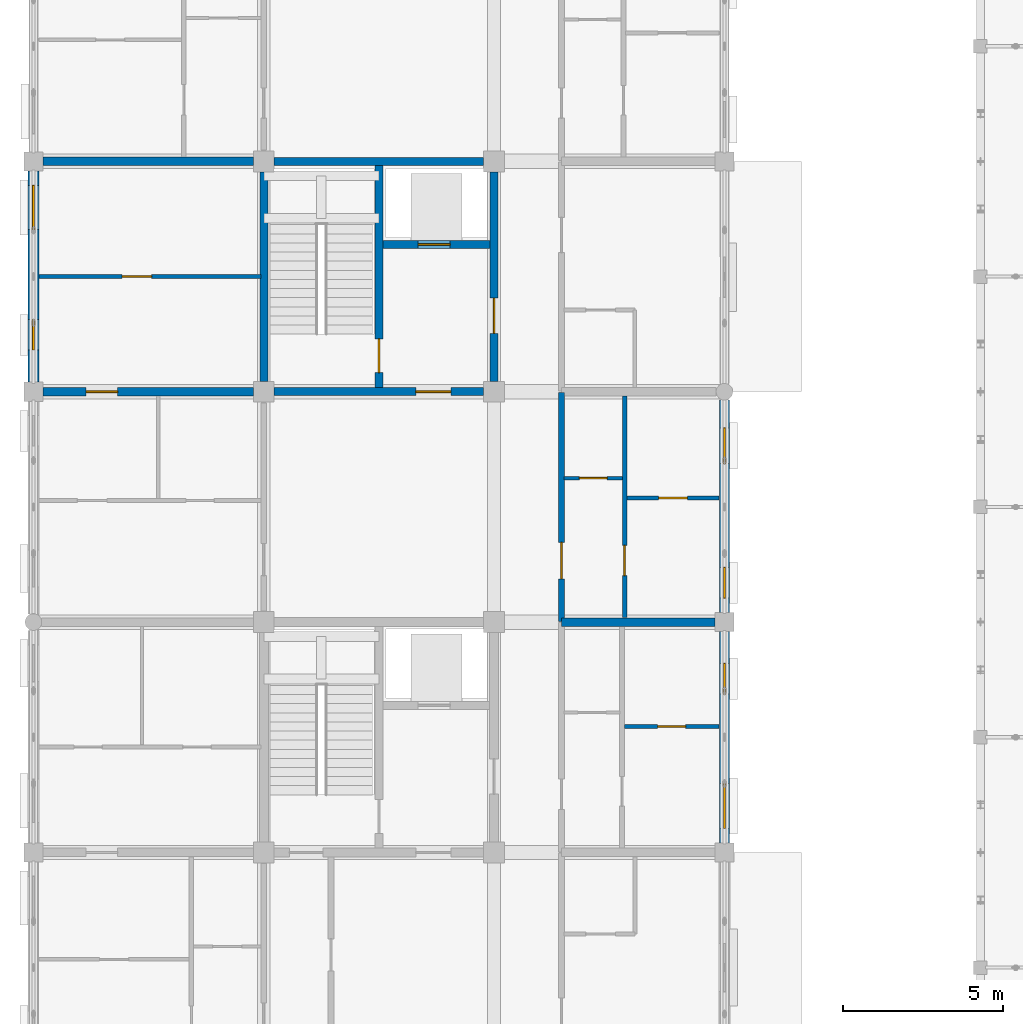
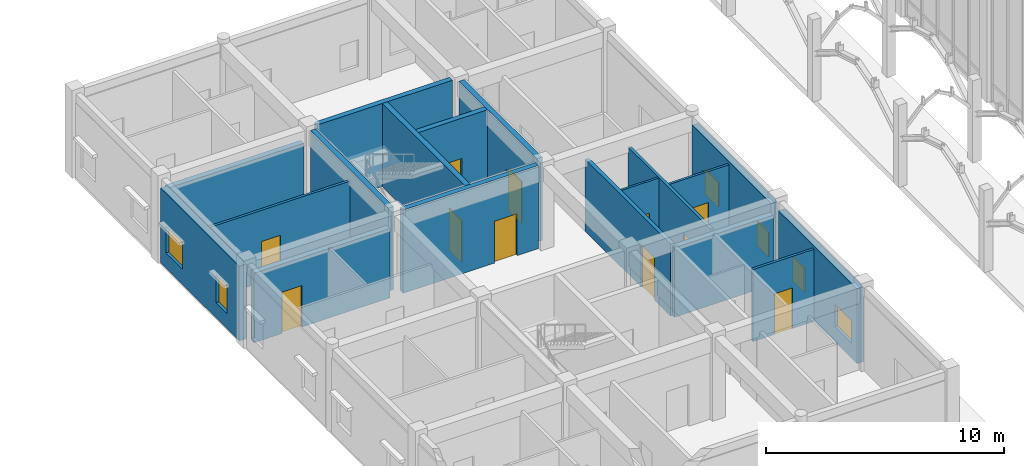
# One storey, part 106 of 138: 18 walls, 11 doors, 6 windows, 17 openings.
"""IFC4 building model written with IfcOpenShell, lengths in metres."""

from ifc_helpers import new_model, si_unit, direction, frame, frame_2d, origin, place, context, subcontext, project, spatial, rectangle, extrude, material, layer, layer_set, type_object, element, fill, save


model = new_model("IFC4")

# Units and contexts
model_context = context("Model", 3, precision=1e-05, world=origin(), true_north=direction((0.0, 1.0)))
body_context = subcontext(model_context, "Body", "Model", "MODEL_VIEW")
ifc_project = project(units=[si_unit("LENGTHUNIT", "METRE"), si_unit("AREAUNIT", "SQUARE_METRE"), si_unit("VOLUMEUNIT", "CUBIC_METRE"), si_unit("PLANEANGLEUNIT", "RADIAN"), si_unit("MASSUNIT", "GRAM", prefix="KILO"), si_unit("THERMODYNAMICTEMPERATUREUNIT", "KELVIN"), si_unit("POWERUNIT", "WATT")], contexts=[model_context])

# Site, building, storey
site_placement = place(None, origin())
site = spatial("IfcSite", under=ifc_project, at=site_placement, CompositionType="ELEMENT")
building_placement = place(site_placement, origin())
building = spatial("IfcBuilding", under=site, at=building_placement, Name="Tavuni Mirador Residences", CompositionType="ELEMENT")
storey_placement = place(building_placement, origin())
storey = spatial("IfcBuildingStorey", under=building, at=storey_placement, Name="L00", CompositionType="ELEMENT", Elevation=0.0)

# Walls
ifc_material_1 = material(Name="Precast concrete C40/50", Category="concrete")
ifc_layer_1 = layer(ifc_material_1, 0.25, Name="Precast concrete C40/50", Category="concrete")
ifc_layer_set_1 = layer_set([ifc_layer_1], Name="Precast concrete C40/50")
wall_type_1 = type_object("IfcWallType", Name="WT-COR250", PredefinedType="SHEAR", material=ifc_layer_set_1)
wall_1_placement = place(storey_placement, frame((10.800048828125, 86.72509765625, 0.0), z_axis=(0.0, 0.0, 1.0), x_axis=(0.0, 1.0, 0.0)))
element("IfcWall", 1, at=wall_1_placement, inside=storey, type_object=wall_type_1, Name="CWALL-C4-L00-W", PredefinedType="SHEAR", context=body_context, shape_type="SweptSolid", body=[
    extrude(rectangle(XDim=6.5498046875, YDim=0.25, at=frame_2d((3.27490234375, 0.0))), origin(), (0.0, 0.0, 1.0), 4.260009765625),
])
wall_2_placement = place(storey_placement, frame((11.125, 93.60009765625, 0.0), z_axis=(0.0, 0.0, 1.0), x_axis=(1.0, 0.0, 0.0)))
element("IfcWall", 2, at=wall_2_placement, inside=storey, type_object=wall_type_1, Name="CWALL-C4-L00-N", PredefinedType="SHEAR", context=body_context, shape_type="SweptSolid", body=[
    extrude(rectangle(XDim=6.550048828125, YDim=0.25, at=frame_2d((3.27490234375, 0.0))), origin(), (0.0, 0.0, 1.0), 4.260009765625),
])

# Wall, opening, door
wall_3_placement = place(storey_placement, frame((18.0, 86.72509765625, 0.0), z_axis=(0.0, 0.0, 1.0), x_axis=(0.0, 1.0, 0.0)))
wall_3 = element("IfcWall", 3, at=wall_3_placement, inside=storey, type_object=wall_type_1, Name="CWALL-C4-L00-E", PredefinedType="SHEAR", context=body_context, shape_type="SweptSolid", body=[
    extrude(rectangle(XDim=6.5498046875, YDim=0.25, at=frame_2d((3.27490234375, 0.0))), origin(), (0.0, 0.0, 1.0), 4.260009765625),
])
opening_1_placement = place(wall_3_placement, frame((1.5, 0.0, 0.0)))
opening_1 = element("IfcOpeningElement", 4, at=opening_1_placement, cuts=wall_3, Name="Opening D-02", PredefinedType="OPENING", context=body_context, shape_type="SweptSolid", body=[
    extrude(rectangle(XDim=1.10009765625, YDim=2.14990234375, at=frame_2d((0.550048828125, 1.074951171875))), frame((0.0, 0.135009765625, 0.0), z_axis=(0.0, -1.0, 0.0), x_axis=(1.0, 0.0, 0.0)), (0.0, 0.0, 1.0), 0.27001953125),
])
ifc_material_2 = material(Name="Solid core iroko timber", Category="wood")
door_type_1 = type_object("IfcDoorType", Name="DT-LOB1100", OperationType="NOTDEFINED", PredefinedType="DOOR", material=ifc_material_2)
door_1_placement = place(opening_1_placement, frame((1.10009765625, 0.0, 0.0), z_axis=(0.0, 0.0, 1.0), x_axis=(-1.0, 0.0, 0.0)))
door_1 = element("IfcDoor", 5, at=door_1_placement, inside=storey, type_object=door_type_1, Name="DR-2143", OperationType="SINGLE_SWING_RIGHT", OverallHeight=2.14990234375, OverallWidth=1.10009765625, PredefinedType="DOOR", context=body_context, shape_type="SweptSolid", body=[
    extrude(rectangle(XDim=1.10009765625, YDim=2.14990234375, at=frame_2d((0.550048828125, 1.074951171875))), frame((0.0, 0.02490234375, 0.0), z_axis=(0.0, -1.0, 0.0), x_axis=(1.0, 0.0, 0.0)), (0.0, 0.0, 1.0), 0.050048828125),
])
fill(opening_1, door_1)

wall_4_placement = place(storey_placement, frame((11.125, 86.39990234375, 0.0), z_axis=(0.0, 0.0, 1.0), x_axis=(1.0, 0.0, 0.0)))
wall_4 = element("IfcWall", 6, at=wall_4_placement, inside=storey, type_object=wall_type_1, Name="CWALL-C4-L00-SS", PredefinedType="SHEAR", context=body_context, shape_type="SweptSolid", body=[
    extrude(rectangle(XDim=6.550048828125, YDim=0.25, at=frame_2d((3.27490234375, 0.0))), origin(), (0.0, 0.0, 1.0), 4.260009765625),
])
opening_2_placement = place(wall_4_placement, frame((4.425048828125, 0.0, 0.0)))
opening_2 = element("IfcOpeningElement", 7, at=opening_2_placement, cuts=wall_4, Name="Opening D-02", PredefinedType="OPENING", context=body_context, shape_type="SweptSolid", body=[
    extrude(rectangle(XDim=1.10009765625, YDim=2.14990234375, at=frame_2d((0.550048828125, 1.074951171875))), frame((0.0, 0.135009765625, 0.0), z_axis=(0.0, -1.0, 0.0), x_axis=(1.0, 0.0, 0.0)), (0.0, 0.0, 1.0), 0.27001953125),
])
door_2_placement = place(opening_2_placement, frame((1.10009765625, 0.0, 0.0), z_axis=(0.0, 0.0, 1.0), x_axis=(-1.0, 0.0, 0.0)))
door_2 = element("IfcDoor", 8, at=door_2_placement, inside=storey, type_object=door_type_1, Name="DR-2144", OperationType="SINGLE_SWING_RIGHT", OverallHeight=2.14990234375, OverallWidth=1.10009765625, PredefinedType="DOOR", context=body_context, shape_type="SweptSolid", body=[
    extrude(rectangle(XDim=1.10009765625, YDim=2.14990234375, at=frame_2d((0.550048828125, 1.074951171875))), frame((0.0, 0.02490234375, 0.0), z_axis=(0.0, -1.0, 0.0), x_axis=(1.0, 0.0, 0.0)), (0.0, 0.0, 1.0), 0.050048828125),
])
fill(opening_2, door_2)

wall_5_placement = place(storey_placement, frame((14.39990234375, 86.52490234375, 0.0), z_axis=(0.0, 0.0, 1.0), x_axis=(0.0, 1.0, 0.0)))
wall_5 = element("IfcWall", 9, at=wall_5_placement, inside=storey, type_object=wall_type_1, Name="CWALL-C4-L00-MID", PredefinedType="SHEAR", context=body_context, shape_type="SweptSolid", body=[
    extrude(rectangle(XDim=6.9501953125, YDim=0.25, at=frame_2d((3.47509765625, 0.0))), origin(), (0.0, 0.0, 1.0), 4.260009765625),
])
opening_3_placement = place(wall_5_placement, frame((0.47509765625, 0.0, 0.0)))
opening_3 = element("IfcOpeningElement", 10, at=opening_3_placement, cuts=wall_5, Name="Opening D-01", PredefinedType="OPENING", context=body_context, shape_type="SweptSolid", body=[
    extrude(rectangle(XDim=1.050048828125, YDim=2.14990234375, at=frame_2d((0.52490234375, 1.074951171875))), frame((0.0, 0.135009765625, 0.0), z_axis=(0.0, -1.0, 0.0), x_axis=(1.0, 0.0, 0.0)), (0.0, 0.0, 1.0), 0.27001953125),
])
door_type_2 = type_object("IfcDoorType", Name="DT-ST1050", OperationType="NOTDEFINED", PredefinedType="DOOR", material=ifc_material_2)
door_3_placement = place(opening_3_placement, frame((1.050048828125, 0.0, 0.0), z_axis=(0.0, 0.0, 1.0), x_axis=(-1.0, 0.0, 0.0)))
door_3 = element("IfcDoor", 11, at=door_3_placement, inside=storey, type_object=door_type_2, Name="DR-2145", OperationType="SINGLE_SWING_LEFT", OverallHeight=2.14990234375, OverallWidth=1.050048828125, PredefinedType="DOOR", context=body_context, shape_type="SweptSolid", body=[
    extrude(rectangle(XDim=1.050048828125, YDim=2.14990234375, at=frame_2d((0.52490234375, 1.074951171875))), frame((0.0, 0.02490234375, 0.0), z_axis=(0.0, -1.0, 0.0), x_axis=(1.0, 0.0, 0.0)), (0.0, 0.0, 1.0), 0.050048828125),
])
fill(opening_3, door_3)

wall_6_placement = place(storey_placement, frame((14.52490234375, 91.0, 0.0), z_axis=(0.0, 0.0, 1.0), x_axis=(1.0, 0.0, 0.0)))
wall_6 = element("IfcWall", 12, at=wall_6_placement, inside=storey, type_object=wall_type_1, Name="CWALL-C4-L00-SHF", PredefinedType="SHEAR", context=body_context, shape_type="SweptSolid", body=[
    extrude(rectangle(XDim=3.35009765625, YDim=0.25, at=frame_2d((1.675048828125, 0.0))), origin(), (0.0, 0.0, 1.0), 4.260009765625),
])
opening_4_placement = place(wall_6_placement, frame((1.10009765625, 0.0, 0.0)))
opening_4 = element("IfcOpeningElement", 13, at=opening_4_placement, cuts=wall_6, Name="Opening LD-02", PredefinedType="OPENING", context=body_context, shape_type="SweptSolid", body=[
    extrude(rectangle(XDim=1.0, YDim=2.199951171875, at=frame_2d((0.5, 1.10009765625))), frame((0.0, 0.135009765625, 0.0), z_axis=(0.0, -1.0, 0.0), x_axis=(1.0, 0.0, 0.0)), (0.0, 0.0, 1.0), 0.27001953125),
])
ifc_material_3 = material(Name="Structural steel S355", Category="steel")
door_type_3 = type_object("IfcDoorType", Name="DT-LD-PAX", OperationType="SLIDING_TO_LEFT", PredefinedType="DOOR", material=ifc_material_3)
door_4_placement = place(opening_4_placement, origin())
door_4 = element("IfcDoor", 14, at=door_4_placement, inside=storey, type_object=door_type_3, Name="Lift landing door PL-B2 L00", OperationType="SLIDING_TO_LEFT", OverallHeight=2.199951171875, OverallWidth=1.0, PredefinedType="DOOR", context=body_context, shape_type="SweptSolid", body=[
    extrude(rectangle(XDim=1.0, YDim=2.199951171875, at=frame_2d((0.5, 1.10009765625))), frame((0.0, 0.02490234375, 0.0), z_axis=(0.0, -1.0, 0.0), x_axis=(1.0, 0.0, 0.0)), (0.0, 0.0, 1.0), 0.050048828125),
])
fill(opening_4, door_4)

ifc_layer_2 = layer(ifc_material_1, 0.18505859375, Name="Precast concrete C40/50", Category="concrete")
ifc_layer_set_2 = layer_set([ifc_layer_2], Name="Precast concrete C40/50")
wall_type_2 = type_object("IfcWallType", Name="WT-CORR185", PredefinedType="PARTITIONING", material=ifc_layer_set_2)
wall_7_placement = place(storey_placement, frame((20.10009765625, 79.219970703125, 0.0), z_axis=(0.0, 0.0, 1.0), x_axis=(0.0, 1.0, 0.0)))
wall_7 = element("IfcWall", 15, at=wall_7_placement, inside=storey, type_object=wall_type_2, Name="CORW-BLK-B-L00-0-02", PredefinedType="PARTITIONING", context=body_context, shape_type="SweptSolid", body=[
    extrude(rectangle(XDim=7.159912109375, YDim=0.18505859375, at=frame_2d((3.580078125, 0.0))), origin(), (0.0, 0.0, 1.0), 3.695068359375),
])
opening_5_placement = place(wall_7_placement, frame((1.330078125, 0.0, 0.0)))
opening_5 = element("IfcOpeningElement", 16, at=opening_5_placement, cuts=wall_7, Name="Opening D-20", PredefinedType="OPENING", context=body_context, shape_type="SweptSolid", body=[
    extrude(rectangle(XDim=1.139892578125, YDim=2.179931640625, at=frame_2d((0.56982421875, 1.08984375))), frame((0.0, 0.1025390625, 0.0), z_axis=(0.0, -1.0, 0.0), x_axis=(1.0, 0.0, 0.0)), (0.0, 0.0, 1.0), 0.205078125),
])
door_type_4 = type_object("IfcDoorType", Name="DT-FD60-1140", OperationType="NOTDEFINED", PredefinedType="DOOR", material=ifc_material_2)
door_5_placement = place(opening_5_placement, origin())
door_5 = element("IfcDoor", 17, at=door_5_placement, inside=storey, type_object=door_type_4, Name="DR-2531", OperationType="SINGLE_SWING_RIGHT", OverallHeight=2.179931640625, OverallWidth=1.139892578125, PredefinedType="DOOR", context=body_context, shape_type="SweptSolid", body=[
    extrude(rectangle(XDim=1.139892578125, YDim=2.179931640625, at=frame_2d((0.56982421875, 1.08984375))), frame((0.0, 0.02490234375, 0.0), z_axis=(0.0, -1.0, 0.0), x_axis=(1.0, 0.0, 0.0)), (0.0, 0.0, 1.0), 0.050048828125),
])
fill(opening_5, door_5)

# Wall, openings, windows
ifc_material_4 = material(Name="Sgraffito lime-rendered precast concrete C40/50", Category="concrete")
ifc_layer_3 = layer(ifc_material_4, 0.304931640625, Name="Sgraffito lime-rendered precast concrete C40/50", Category="concrete")
ifc_layer_set_3 = layer_set([ifc_layer_3], Name="Sgraffito lime-rendered precast concrete C40/50")
wall_type_3 = type_object("IfcWallType", Name="WT-EXT-PC305", PredefinedType="SOLIDWALL", material=ifc_layer_set_3)
wall_8_placement = place(storey_placement, frame((25.199951171875, 79.5, 0.0), z_axis=(0.0, 0.0, 1.0), x_axis=(0.0, 1.0, 0.0)))
wall_8 = element("IfcWall", 18, at=wall_8_placement, inside=storey, type_object=wall_type_3, Name="EW-BLK-B-L00-E02", PredefinedType="SOLIDWALL", context=body_context, shape_type="SweptSolid", body=[
    extrude(rectangle(XDim=6.639892578125, YDim=0.304931640625, at=frame_2d((3.31982421875, 0.0))), origin(), (0.0, 0.0, 1.0), 3.830078125),
])
opening_6_placement = place(wall_8_placement, frame((0.449951171875, 0.0, 0.780029296875)))
opening_6 = element("IfcOpeningElement", 19, at=opening_6_placement, cuts=wall_8, Name="Opening WN-10", PredefinedType="OPENING", context=body_context, shape_type="SweptSolid", body=[
    extrude(rectangle(XDim=0.9599609375, YDim=1.260009765625, at=frame_2d((0.47998046875, 0.6298828125))), frame((0.0, 0.16259765625, 0.0), z_axis=(0.0, -1.0, 0.0), x_axis=(1.0, 0.0, 0.0)), (0.0, 0.0, 1.0), 0.324951171875),
])
opening_7_placement = place(wall_8_placement, frame((4.64990234375, 0.0, 0.780029296875)))
opening_7 = element("IfcOpeningElement", 20, at=opening_7_placement, cuts=wall_8, Name="Opening WN-12", PredefinedType="OPENING", context=body_context, shape_type="SweptSolid", body=[
    extrude(rectangle(XDim=1.1201171875, YDim=1.260009765625, at=frame_2d((0.56005859375, 0.6298828125))), frame((0.0, 0.16259765625, 0.0), z_axis=(0.0, -1.0, 0.0), x_axis=(1.0, 0.0, 0.0)), (0.0, 0.0, 1.0), 0.324951171875),
])
ifc_material_5 = material(Name="Laminated solar-control glass", Category="glass")
window_type_1 = type_object("IfcWindowType", Name="WNT-10", PartitioningType="SINGLE_PANEL", PredefinedType="WINDOW", material=ifc_material_5)
window_1_placement = place(opening_6_placement, origin())
window_1 = element("IfcWindow", 21, at=window_1_placement, inside=storey, type_object=window_type_1, Name="WIN-0549", OverallHeight=1.260009765625, OverallWidth=0.9599609375, PartitioningType="SINGLE_PANEL", PredefinedType="WINDOW", context=body_context, shape_type="SweptSolid", body=[
    extrude(rectangle(XDim=0.9599609375, YDim=1.260009765625, at=frame_2d((0.47998046875, 0.6298828125))), frame((0.0, 0.030029296875, 0.0), z_axis=(0.0, -1.0, 0.0), x_axis=(1.0, 0.0, 0.0)), (0.0, 0.0, 1.0), 0.06005859375),
])
fill(opening_6, window_1)
window_type_2 = type_object("IfcWindowType", Name="WNT-12", PartitioningType="SINGLE_PANEL", PredefinedType="WINDOW", material=ifc_material_5)
window_2_placement = place(opening_7_placement, origin())
window_2 = element("IfcWindow", 22, at=window_2_placement, inside=storey, type_object=window_type_2, Name="WIN-0550", OverallHeight=1.260009765625, OverallWidth=1.1201171875, PartitioningType="SINGLE_PANEL", PredefinedType="WINDOW", context=body_context, shape_type="SweptSolid", body=[
    extrude(rectangle(XDim=1.1201171875, YDim=1.260009765625, at=frame_2d((0.56005859375, 0.6298828125))), frame((0.0, 0.030029296875, 0.0), z_axis=(0.0, -1.0, 0.0), x_axis=(1.0, 0.0, 0.0)), (0.0, 0.0, 1.0), 0.06005859375),
])
fill(opening_7, window_2)

ifc_layer_4 = layer(ifc_material_4, 0.31494140625, Name="Sgraffito lime-rendered precast concrete C40/50", Category="concrete")
ifc_layer_set_4 = layer_set([ifc_layer_4], Name="Sgraffito lime-rendered precast concrete C40/50")
wall_type_4 = type_object("IfcWallType", Name="WT-EXT-PC315", PredefinedType="SOLIDWALL", material=ifc_layer_set_4)
wall_9_placement = place(storey_placement, frame((25.199951171875, 72.300048828125, 0.0), z_axis=(0.0, 0.0, 1.0), x_axis=(0.0, 1.0, 0.0)))
wall_9 = element("IfcWall", 23, at=wall_9_placement, inside=storey, type_object=wall_type_4, Name="EW-BLK-B-L00-E01", PredefinedType="SOLIDWALL", context=body_context, shape_type="SweptSolid", body=[
    extrude(rectangle(XDim=6.599853515625, YDim=0.31494140625, at=frame_2d((3.2998046875, 0.0))), origin(), (0.0, 0.0, 1.0), 3.830078125),
])
opening_8_placement = place(wall_9_placement, frame((0.449951171875, 0.0, 0.780029296875)))
opening_8 = element("IfcOpeningElement", 24, at=opening_8_placement, cuts=wall_9, Name="Opening WN-08", PredefinedType="OPENING", context=body_context, shape_type="SweptSolid", body=[
    extrude(rectangle(XDim=1.39990234375, YDim=1.14990234375, at=frame_2d((0.699951171875, 0.574951171875))), frame((0.0, 0.16748046875, 0.0), z_axis=(0.0, -1.0, 0.0), x_axis=(1.0, 0.0, 0.0)), (0.0, 0.0, 1.0), 0.3349609375),
])
opening_9_placement = place(wall_9_placement, frame((4.64990234375, 0.0, 0.780029296875)))
opening_9 = element("IfcOpeningElement", 25, at=opening_9_placement, cuts=wall_9, Name="Opening WN-10", PredefinedType="OPENING", context=body_context, shape_type="SweptSolid", body=[
    extrude(rectangle(XDim=0.9599609375, YDim=1.260009765625, at=frame_2d((0.47998046875, 0.6298828125))), frame((0.0, 0.16748046875, 0.0), z_axis=(0.0, -1.0, 0.0), x_axis=(1.0, 0.0, 0.0)), (0.0, 0.0, 1.0), 0.3349609375),
])
window_type_3 = type_object("IfcWindowType", Name="WNT-08", PartitioningType="SINGLE_PANEL", PredefinedType="WINDOW", material=ifc_material_5)
window_3_placement = place(opening_8_placement, origin())
window_3 = element("IfcWindow", 26, at=window_3_placement, inside=storey, type_object=window_type_3, Name="WIN-0547", OverallHeight=1.14990234375, OverallWidth=1.39990234375, PartitioningType="SINGLE_PANEL", PredefinedType="WINDOW", context=body_context, shape_type="SweptSolid", body=[
    extrude(rectangle(XDim=1.39990234375, YDim=1.14990234375, at=frame_2d((0.699951171875, 0.574951171875))), frame((0.0, 0.030029296875, 0.0), z_axis=(0.0, -1.0, 0.0), x_axis=(1.0, 0.0, 0.0)), (0.0, 0.0, 1.0), 0.06005859375),
])
fill(opening_8, window_3)
window_4_placement = place(opening_9_placement, origin())
window_4 = element("IfcWindow", 27, at=window_4_placement, inside=storey, type_object=window_type_1, Name="WIN-0548", OverallHeight=1.260009765625, OverallWidth=0.9599609375, PartitioningType="SINGLE_PANEL", PredefinedType="WINDOW", context=body_context, shape_type="SweptSolid", body=[
    extrude(rectangle(XDim=0.9599609375, YDim=1.260009765625, at=frame_2d((0.47998046875, 0.6298828125))), frame((0.0, 0.030029296875, 0.0), z_axis=(0.0, -1.0, 0.0), x_axis=(1.0, 0.0, 0.0)), (0.0, 0.0, 1.0), 0.06005859375),
])
fill(opening_9, window_4)

ifc_layer_5 = layer(ifc_material_4, 0.344970703125, Name="Sgraffito lime-rendered precast concrete C40/50", Category="concrete")
ifc_layer_set_5 = layer_set([ifc_layer_5], Name="Sgraffito lime-rendered precast concrete C40/50")
wall_type_5 = type_object("IfcWallType", Name="WT-EXT-PTY345", PredefinedType="SOLIDWALL", material=ifc_layer_set_5)
wall_10_placement = place(storey_placement, frame((3.60009765625, 93.300048828125, 0.0), z_axis=(0.0, 0.0, 1.0), x_axis=(0.0, -1.0, 0.0)))
wall_10 = element("IfcWall", 28, at=wall_10_placement, inside=storey, type_object=wall_type_5, Name="EW-BLK-B-L00-W03", PredefinedType="SOLIDWALL", context=body_context, shape_type="SweptSolid", body=[
    extrude(rectangle(XDim=6.60009765625, YDim=0.344970703125, at=frame_2d((3.300048828125, 0.0))), origin(), (0.0, 0.0, 1.0), 3.830078125),
])
opening_10_placement = place(wall_10_placement, frame((0.449951171875, 0.0, 0.780029296875)))
opening_10 = element("IfcOpeningElement", 29, at=opening_10_placement, cuts=wall_10, Name="Opening WN-23", PredefinedType="OPENING", context=body_context, shape_type="SweptSolid", body=[
    extrude(rectangle(XDim=1.3798828125, YDim=1.360107421875, at=frame_2d((0.68994140625, 0.68017578125))), frame((0.0, 0.1826171875, 0.0), z_axis=(0.0, -1.0, 0.0), x_axis=(1.0, 0.0, 0.0)), (0.0, 0.0, 1.0), 0.364990234375),
])
opening_11_placement = place(wall_10_placement, frame((4.64990234375, 0.0, 0.780029296875)))
opening_11 = element("IfcOpeningElement", 30, at=opening_11_placement, cuts=wall_10, Name="Opening WN-25", PredefinedType="OPENING", context=body_context, shape_type="SweptSolid", body=[
    extrude(rectangle(XDim=0.93994140625, YDim=1.43994140625, at=frame_2d((0.469970703125, 0.719970703125))), frame((0.0, 0.1826171875, 0.0), z_axis=(0.0, -1.0, 0.0), x_axis=(1.0, 0.0, 0.0)), (0.0, 0.0, 1.0), 0.364990234375),
])
window_type_4 = type_object("IfcWindowType", Name="WNT-23", PartitioningType="SINGLE_PANEL", PredefinedType="WINDOW", material=ifc_material_5)
window_5_placement = place(opening_10_placement, origin())
window_5 = element("IfcWindow", 31, at=window_5_placement, inside=storey, type_object=window_type_4, Name="WIN-0562", OverallHeight=1.360107421875, OverallWidth=1.3798828125, PartitioningType="SINGLE_PANEL", PredefinedType="WINDOW", context=body_context, shape_type="SweptSolid", body=[
    extrude(rectangle(XDim=1.3798828125, YDim=1.360107421875, at=frame_2d((0.68994140625, 0.68017578125))), frame((0.0, 0.030029296875, 0.0), z_axis=(0.0, -1.0, 0.0), x_axis=(1.0, 0.0, 0.0)), (0.0, 0.0, 1.0), 0.06005859375),
])
fill(opening_10, window_5)
window_type_5 = type_object("IfcWindowType", Name="WNT-25", PartitioningType="SINGLE_PANEL", PredefinedType="WINDOW", material=ifc_material_5)
window_6_placement = place(opening_11_placement, origin())
window_6 = element("IfcWindow", 32, at=window_6_placement, inside=storey, type_object=window_type_5, Name="WIN-0563", OverallHeight=1.43994140625, OverallWidth=0.93994140625, PartitioningType="SINGLE_PANEL", PredefinedType="WINDOW", context=body_context, shape_type="SweptSolid", body=[
    extrude(rectangle(XDim=0.93994140625, YDim=1.43994140625, at=frame_2d((0.469970703125, 0.719970703125))), frame((0.0, 0.030029296875, 0.0), z_axis=(0.0, -1.0, 0.0), x_axis=(1.0, 0.0, 0.0)), (0.0, 0.0, 1.0), 0.06005859375),
])
fill(opening_11, window_6)

# Wall, opening, door
ifc_material_6 = material(Name="Acoustic gypsum and concrete block partition", Category="concrete")
ifc_layer_6 = layer(ifc_material_6, 0.10498046875, Name="Acoustic gypsum and concrete block partition", Category="concrete")
ifc_layer_set_6 = layer_set([ifc_layer_6], Name="Acoustic gypsum and concrete block partition")
wall_type_6 = type_object("IfcWallType", Name="WT-PART105", PredefinedType="PARTITIONING", material=ifc_layer_set_6)
wall_11_placement = place(storey_placement, frame((20.18994140625, 83.699951171875, 0.0), z_axis=(0.0, 0.0, 1.0), x_axis=(1.0, 0.0, 0.0)))
wall_11 = element("IfcWall", 33, at=wall_11_placement, inside=storey, type_object=wall_type_6, Name="PW-BLK-B-L00-E02-IN1", PredefinedType="PARTITIONING", context=body_context, shape_type="SweptSolid", body=[
    extrude(rectangle(XDim=1.820068359375, YDim=0.10498046875, at=frame_2d((0.91015625, 0.0))), origin(), (0.0, 0.0, 1.0), 3.695068359375),
])
opening_12_placement = place(wall_11_placement, frame((0.47509765625, 0.0, 0.0)))
opening_12 = element("IfcOpeningElement", 34, at=opening_12_placement, cuts=wall_11, Name="Opening D-10", PredefinedType="OPENING", context=body_context, shape_type="SweptSolid", body=[
    extrude(rectangle(XDim=0.8701171875, YDim=2.050048828125, at=frame_2d((0.43505859375, 1.02490234375))), frame((0.0, 0.0625, 0.0), z_axis=(0.0, -1.0, 0.0), x_axis=(1.0, 0.0, 0.0)), (0.0, 0.0, 1.0), 0.125),
])
door_type_5 = type_object("IfcDoorType", Name="DT-WC870", OperationType="NOTDEFINED", PredefinedType="DOOR", material=ifc_material_2)
door_6_placement = place(opening_12_placement, origin())
door_6 = element("IfcDoor", 35, at=door_6_placement, inside=storey, type_object=door_type_5, Name="DR-3436", OperationType="SINGLE_SWING_RIGHT", OverallHeight=2.050048828125, OverallWidth=0.8701171875, PredefinedType="DOOR", context=body_context, shape_type="SweptSolid", body=[
    extrude(rectangle(XDim=0.8701171875, YDim=2.050048828125, at=frame_2d((0.43505859375, 1.02490234375))), frame((0.0, 0.02490234375, 0.0), z_axis=(0.0, -1.0, 0.0), x_axis=(1.0, 0.0, 0.0)), (0.0, 0.0, 1.0), 0.050048828125),
])
fill(opening_12, door_6)

ifc_layer_7 = layer(ifc_material_6, 0.114990234375, Name="Acoustic gypsum and concrete block partition", Category="concrete")
ifc_layer_set_7 = layer_set([ifc_layer_7], Name="Acoustic gypsum and concrete block partition")
wall_type_7 = type_object("IfcWallType", Name="WT-PART115", PredefinedType="PARTITIONING", material=ifc_layer_set_7)
wall_12_placement = place(storey_placement, frame((22.14990234375, 83.080078125, 0.0), z_axis=(0.0, 0.0, 1.0), x_axis=(1.0, 0.0, 0.0)))
wall_12 = element("IfcWall", 36, at=wall_12_placement, inside=storey, type_object=wall_type_7, Name="PW-BLK-B-L00-E02-OUT", PredefinedType="PARTITIONING", context=body_context, shape_type="SweptSolid", body=[
    extrude(rectangle(XDim=2.875, YDim=0.114990234375, at=frame_2d((1.4375, 0.0))), origin(), (0.0, 0.0, 1.0), 3.695068359375),
])
opening_13_placement = place(wall_12_placement, frame((0.987548828125, 0.0, 0.0)))
opening_13 = element("IfcOpeningElement", 37, at=opening_13_placement, cuts=wall_12, Name="Opening D-07", PredefinedType="OPENING", context=body_context, shape_type="SweptSolid", body=[
    extrude(rectangle(XDim=0.89990234375, YDim=2.10009765625, at=frame_2d((0.449951171875, 1.050048828125))), frame((0.0, 0.0673828125, 0.0), z_axis=(0.0, -1.0, 0.0), x_axis=(1.0, 0.0, 0.0)), (0.0, 0.0, 1.0), 0.135009765625),
])
door_type_6 = type_object("IfcDoorType", Name="DT-BED900", OperationType="NOTDEFINED", PredefinedType="DOOR", material=ifc_material_2)
door_7_placement = place(opening_13_placement, origin())
door_7 = element("IfcDoor", 38, at=door_7_placement, inside=storey, type_object=door_type_6, Name="DR-3435", OperationType="SINGLE_SWING_LEFT", OverallHeight=2.10009765625, OverallWidth=0.89990234375, PredefinedType="DOOR", context=body_context, shape_type="SweptSolid", body=[
    extrude(rectangle(XDim=0.89990234375, YDim=2.10009765625, at=frame_2d((0.449951171875, 1.050048828125))), frame((0.0, 0.02490234375, 0.0), z_axis=(0.0, -1.0, 0.0), x_axis=(1.0, 0.0, 0.0)), (0.0, 0.0, 1.0), 0.050048828125),
])
fill(opening_13, door_7)

ifc_layer_8 = layer(ifc_material_6, 0.125, Name="Acoustic gypsum and concrete block partition", Category="concrete")
ifc_layer_set_8 = layer_set([ifc_layer_8], Name="Acoustic gypsum and concrete block partition")
wall_type_8 = type_object("IfcWallType", Name="WT-PART125", PredefinedType="PARTITIONING", material=ifc_layer_set_8)
wall_13_placement = place(storey_placement, frame((22.070068359375, 75.93994140625, 0.0), z_axis=(0.0, 0.0, 1.0), x_axis=(1.0, 0.0, 0.0)))
wall_13 = element("IfcWall", 39, at=wall_13_placement, inside=storey, type_object=wall_type_8, Name="PW-BLK-B-L00-E01-OUT", PredefinedType="PARTITIONING", context=body_context, shape_type="SweptSolid", body=[
    extrude(rectangle(XDim=2.954833984375, YDim=0.125, at=frame_2d((1.4775390625, 0.0))), origin(), (0.0, 0.0, 1.0), 3.695068359375),
])
opening_14_placement = place(wall_13_placement, frame((1.03759765625, 0.0, 0.0)))
opening_14 = element("IfcOpeningElement", 40, at=opening_14_placement, cuts=wall_13, Name="Opening D-08", PredefinedType="OPENING", context=body_context, shape_type="SweptSolid", body=[
    extrude(rectangle(XDim=0.8798828125, YDim=2.080078125, at=frame_2d((0.43994140625, 1.0400390625))), frame((0.0, 0.072509765625, 0.0), z_axis=(0.0, -1.0, 0.0), x_axis=(1.0, 0.0, 0.0)), (0.0, 0.0, 1.0), 0.14501953125),
])
door_type_7 = type_object("IfcDoorType", Name="DT-BED880", OperationType="NOTDEFINED", PredefinedType="DOOR", material=ifc_material_2)
door_8_placement = place(opening_14_placement, origin())
door_8 = element("IfcDoor", 41, at=door_8_placement, inside=storey, type_object=door_type_7, Name="DR-3430", OperationType="SINGLE_SWING_RIGHT", OverallHeight=2.080078125, OverallWidth=0.8798828125, PredefinedType="DOOR", context=body_context, shape_type="SweptSolid", body=[
    extrude(rectangle(XDim=0.8798828125, YDim=2.080078125, at=frame_2d((0.43994140625, 1.0400390625))), frame((0.0, 0.02490234375, 0.0), z_axis=(0.0, -1.0, 0.0), x_axis=(1.0, 0.0, 0.0)), (0.0, 0.0, 1.0), 0.050048828125),
])
fill(opening_14, door_8)

wall_14_placement = place(storey_placement, frame((3.77490234375, 90.0, 0.0), z_axis=(0.0, 0.0, 1.0), x_axis=(1.0, 0.0, 0.0)))
wall_14 = element("IfcWall", 42, at=wall_14_placement, inside=storey, type_object=wall_type_8, Name="PW-BLK-B-L00-PF03-H", PredefinedType="PARTITIONING", context=body_context, shape_type="SweptSolid", body=[
    extrude(rectangle(XDim=6.93505859375, YDim=0.125, at=frame_2d((3.467529296875, 0.0))), origin(), (0.0, 0.0, 1.0), 3.695068359375),
])
opening_15_placement = place(wall_14_placement, frame((2.60009765625, 0.0, 0.0)))
opening_15 = element("IfcOpeningElement", 43, at=opening_15_placement, cuts=wall_14, Name="Opening D-06", PredefinedType="OPENING", context=body_context, shape_type="SweptSolid", body=[
    extrude(rectangle(XDim=0.919921875, YDim=2.10009765625, at=frame_2d((0.4599609375, 1.050048828125))), frame((0.0, 0.072509765625, 0.0), z_axis=(0.0, -1.0, 0.0), x_axis=(1.0, 0.0, 0.0)), (0.0, 0.0, 1.0), 0.14501953125),
])
door_type_8 = type_object("IfcDoorType", Name="DT-INT920", OperationType="NOTDEFINED", PredefinedType="DOOR", material=ifc_material_2)
door_9_placement = place(opening_15_placement, origin())
door_9 = element("IfcDoor", 44, at=door_9_placement, inside=storey, type_object=door_type_8, Name="DR-3438", OperationType="SINGLE_SWING_RIGHT", OverallHeight=2.10009765625, OverallWidth=0.919921875, PredefinedType="DOOR", context=body_context, shape_type="SweptSolid", body=[
    extrude(rectangle(XDim=0.919921875, YDim=2.10009765625, at=frame_2d((0.4599609375, 1.050048828125))), frame((0.0, 0.02490234375, 0.0), z_axis=(0.0, -1.0, 0.0), x_axis=(1.0, 0.0, 0.0)), (0.0, 0.0, 1.0), 0.050048828125),
])
fill(opening_15, door_9)

ifc_layer_9 = layer(ifc_material_6, 0.139892578125, Name="Acoustic gypsum and concrete block partition", Category="concrete")
ifc_layer_set_9 = layer_set([ifc_layer_9], Name="Acoustic gypsum and concrete block partition")
wall_type_9 = type_object("IfcWallType", Name="WT-PART140", PredefinedType="PARTITIONING", material=ifc_layer_set_9)
wall_15_placement = place(storey_placement, frame((22.080078125, 79.340087890625, 0.0), z_axis=(0.0, 0.0, 1.0), x_axis=(0.0, 1.0, 0.0)))
wall_15 = element("IfcWall", 45, at=wall_15_placement, inside=storey, type_object=wall_type_9, Name="PW-BLK-B-L00-E02-MID", PredefinedType="PARTITIONING", context=body_context, shape_type="SweptSolid", body=[
    extrude(rectangle(XDim=6.919921875, YDim=0.139892578125, at=frame_2d((3.4599609375, 0.0))), origin(), (0.0, 0.0, 1.0), 3.695068359375),
])
opening_16_placement = place(wall_15_placement, frame((1.31005859375, 0.0, 0.0)))
opening_16 = element("IfcOpeningElement", 46, at=opening_16_placement, cuts=wall_15, Name="Opening D-05", PredefinedType="OPENING", context=body_context, shape_type="SweptSolid", body=[
    extrude(rectangle(XDim=0.949951171875, YDim=2.10009765625, at=frame_2d((0.47509765625, 1.050048828125))), frame((0.0, 0.080078125, 0.0), z_axis=(0.0, -1.0, 0.0), x_axis=(1.0, 0.0, 0.0)), (0.0, 0.0, 1.0), 0.159912109375),
])
door_type_9 = type_object("IfcDoorType", Name="DT-INT950", OperationType="NOTDEFINED", PredefinedType="DOOR", material=ifc_material_2)
door_10_placement = place(opening_16_placement, origin())
door_10 = element("IfcDoor", 47, at=door_10_placement, inside=storey, type_object=door_type_9, Name="DR-3437", OperationType="SINGLE_SWING_LEFT", OverallHeight=2.10009765625, OverallWidth=0.949951171875, PredefinedType="DOOR", context=body_context, shape_type="SweptSolid", body=[
    extrude(rectangle(XDim=0.949951171875, YDim=2.10009765625, at=frame_2d((0.47509765625, 1.050048828125))), frame((0.0, 0.02490234375, 0.0), z_axis=(0.0, -1.0, 0.0), x_axis=(1.0, 0.0, 0.0)), (0.0, 0.0, 1.0), 0.050048828125),
])
fill(opening_16, door_10)

# Wall
ifc_layer_10 = layer(ifc_material_1, 0.264892578125, Name="Precast concrete C40/50", Category="concrete")
ifc_layer_set_10 = layer_set([ifc_layer_10], Name="Precast concrete C40/50")
wall_type_10 = type_object("IfcWallType", Name="WT-XW265", PredefinedType="SOLIDWALL", material=ifc_layer_set_10)
wall_16_placement = place(storey_placement, frame((20.10009765625, 79.199951171875, 0.0), z_axis=(0.0, 0.0, 1.0), x_axis=(1.0, 0.0, 0.0)))
element("IfcWall", 48, at=wall_16_placement, inside=storey, type_object=wall_type_10, Name="XW-BLK-B-L00-E-02", PredefinedType="SOLIDWALL", context=body_context, shape_type="SweptSolid", body=[
    extrude(rectangle(XDim=4.7998046875, YDim=0.264892578125, at=frame_2d((2.39990234375, 0.0))), origin(), (0.0, 0.0, 1.0), 3.56005859375),
])

# Wall, opening, door
wall_17_placement = place(storey_placement, frame((3.89990234375, 86.39990234375, 0.0), z_axis=(0.0, 0.0, 1.0), x_axis=(1.0, 0.0, 0.0)))
wall_17 = element("IfcWall", 49, at=wall_17_placement, inside=storey, type_object=wall_type_10, Name="XW-BLK-B-L00-W-03", PredefinedType="SOLIDWALL", context=body_context, shape_type="SweptSolid", body=[
    extrude(rectangle(XDim=6.5751953125, YDim=0.264892578125, at=frame_2d((3.28759765625, 0.0))), origin(), (0.0, 0.0, 1.0), 3.56005859375),
])
opening_17_placement = place(wall_17_placement, frame((1.35009765625, 0.0, 0.0)))
opening_17 = element("IfcOpeningElement", 50, at=opening_17_placement, cuts=wall_17, Name="Opening D-04", PredefinedType="OPENING", context=body_context, shape_type="SweptSolid", body=[
    extrude(rectangle(XDim=0.97998046875, YDim=2.1201171875, at=frame_2d((0.489990234375, 1.06005859375))), frame((0.0, 0.142578125, 0.0), z_axis=(0.0, -1.0, 0.0), x_axis=(1.0, 0.0, 0.0)), (0.0, 0.0, 1.0), 0.284912109375),
])
door_type_10 = type_object("IfcDoorType", Name="DT-FD60-980", OperationType="NOTDEFINED", PredefinedType="DOOR", material=ifc_material_2)
door_11_placement = place(opening_17_placement, origin())
door_11 = element("IfcDoor", 51, at=door_11_placement, inside=storey, type_object=door_type_10, Name="DR-4709", OperationType="SINGLE_SWING_RIGHT", OverallHeight=2.1201171875, OverallWidth=0.97998046875, PredefinedType="DOOR", context=body_context, shape_type="SweptSolid", body=[
    extrude(rectangle(XDim=0.97998046875, YDim=2.1201171875, at=frame_2d((0.489990234375, 1.06005859375))), frame((0.0, 0.02490234375, 0.0), z_axis=(0.0, -1.0, 0.0), x_axis=(1.0, 0.0, 0.0)), (0.0, 0.0, 1.0), 0.050048828125),
])
fill(opening_17, door_11)

# Wall
wall_18_placement = place(storey_placement, frame((3.89990234375, 93.60009765625, 0.0), z_axis=(0.0, 0.0, 1.0), x_axis=(1.0, 0.0, 0.0)))
element("IfcWall", 52, at=wall_18_placement, inside=storey, type_object=wall_type_10, Name="XW-BLK-B-L00-W-04", PredefinedType="SOLIDWALL", context=body_context, shape_type="SweptSolid", body=[
    extrude(rectangle(XDim=6.5751953125, YDim=0.264892578125, at=frame_2d((3.28759765625, 0.0))), origin(), (0.0, 0.0, 1.0), 3.56005859375),
])

save(model, "model.ifc")
